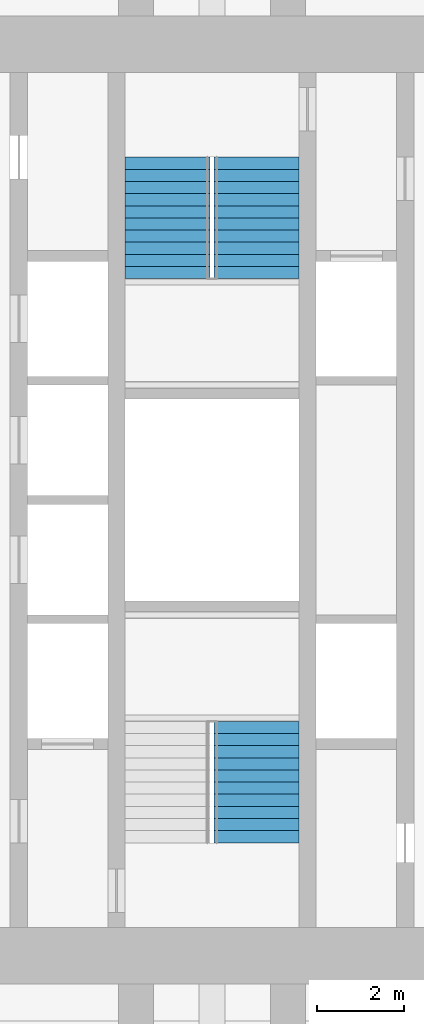
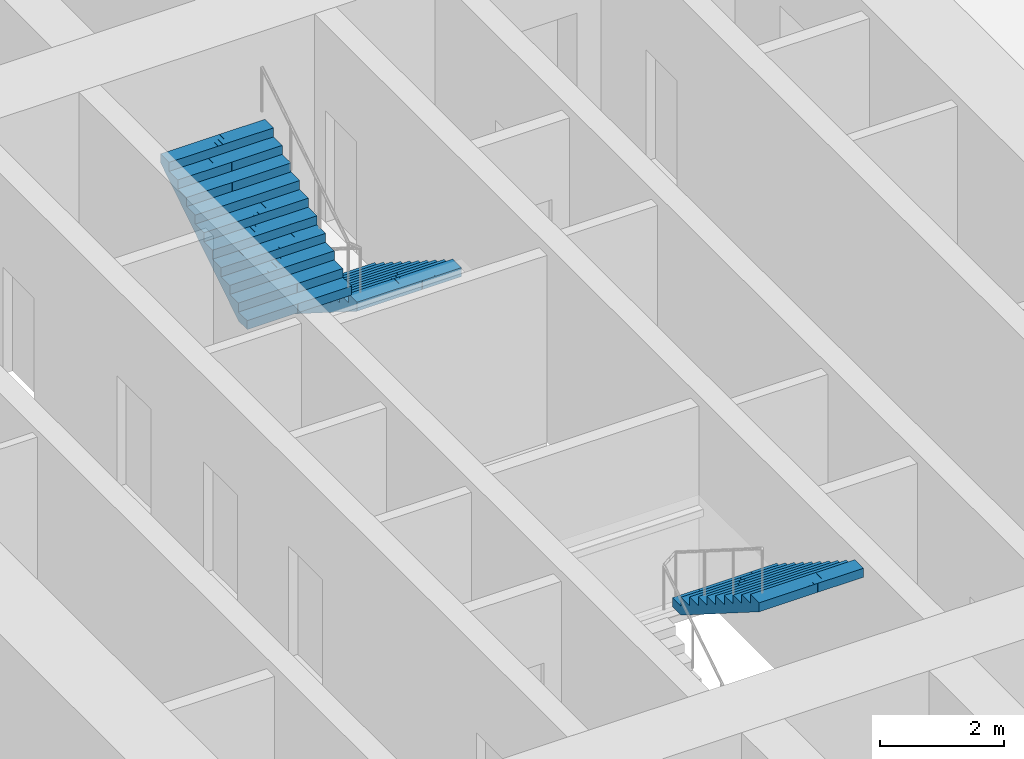
# One storey, part 18 of 19: 3 stair flights, 2 elements without a shape of their own.
"""IFC4 building model written with IfcOpenShell, lengths in metres."""

from ifc_helpers import new_model, si_unit, direction, frame, origin, place, context, subcontext, project, spatial, polyline, outline, extrude, material, type_object, element, aggregate, save


model = new_model("IFC4")

# Units and contexts
model_context = context("Model", 3, precision=1e-05, world=origin(), true_north=direction((0.0, 1.0)))
body_context = subcontext(model_context, "Body", "Model", "MODEL_VIEW")
ifc_project = project(units=[si_unit("LENGTHUNIT", "METRE"), si_unit("AREAUNIT", "SQUARE_METRE"), si_unit("VOLUMEUNIT", "CUBIC_METRE"), si_unit("PLANEANGLEUNIT", "RADIAN"), si_unit("MASSUNIT", "GRAM", prefix="KILO")], contexts=[model_context])

# Site, building, storey
site_placement = place(None, origin())
site = spatial("IfcSite", under=ifc_project, at=site_placement, CompositionType="ELEMENT")
building_placement = place(site_placement, origin())
building = spatial("IfcBuilding", under=site, at=building_placement, Name="Mizan Broadcast Tower", CompositionType="ELEMENT")
storey_placement = place(building_placement, frame((0.0, 0.0, 159.300048828125)))
storey = spatial("IfcBuildingStorey", under=building, at=storey_placement, Name="L36", CompositionType="ELEMENT", Elevation=159.300048828125)

# Stair, stair flight
ifc_material_1 = material(Name="Concrete C40/50", Category="concrete")
stair_type = type_object("IfcStairType", Name="EXIT STAIR", PredefinedType="HALF_TURN_STAIR", material=ifc_material_1)
stair_1_placement = place(storey_placement, origin())
stair_1 = element("IfcStair", 1, at=stair_1_placement, inside=storey, type_object=stair_type, Name="Stair A L36", PredefinedType="HALF_TURN_STAIR")
ifc_material_2 = material(Name="Concrete C40/50", Category="concrete")
stair_flight_type = type_object("IfcStairFlightType", Name="EXIT STAIR FLIGHT", PredefinedType="STRAIGHT", material=ifc_material_2)
stair_flight_1_placement = place(storey_placement, frame((1.02490234375, -5.10009765625, 1.949951171875), z_axis=(0.0, 0.0, 1.0), x_axis=(0.0, -1.0, 0.0)))
stair_flight_1 = element("IfcStairFlight", 2, at=stair_flight_1_placement, type_object=stair_flight_type, Name="A flight 2", NumberOfRisers=11, NumberOfTreads=10, PredefinedType="STRAIGHT", RiserHeight=0.177272727, TreadLength=0.28, context=body_context, shape_type="SweptSolid", body=[
    extrude(outline(polyline([(0.0, 0.0), (0.0, 0.17724609375), (0.280029296875, 0.17724609375), (0.280029296875, 0.3544921875), (0.56005859375, 0.3544921875), (0.56005859375, 0.53173828125), (0.840087890625, 0.53173828125), (0.840087890625, 0.708984375), (1.1201171875, 0.708984375), (1.1201171875, 0.886474609375), (1.39990234375, 0.886474609375), (1.39990234375, 1.063720703125), (1.679931640625, 1.063720703125), (1.679931640625, 1.240966796875), (1.9599609375, 1.240966796875), (1.9599609375, 1.418212890625), (2.239990234375, 1.418212890625), (2.239990234375, 1.595458984375), (2.52001953125, 1.595458984375), (2.52001953125, 1.772705078125), (2.800048828125, 1.772705078125), (2.800048828125, 1.949951171875), (2.800048828125, 1.59521484375), (0.2802734375, 0.0), (0.0, 0.0)])), frame((0.0, 0.97509765625, 0.0), z_axis=(0.0, -1.0, 0.0), x_axis=(1.0, 0.0, 0.0)), (0.0, 0.0, 1.0), 0.4873046875),
    extrude(outline(polyline([(0.0, 0.0), (0.0, 0.17724609375), (0.280029296875, 0.17724609375), (0.280029296875, 0.3544921875), (0.56005859375, 0.3544921875), (0.56005859375, 0.53173828125), (0.840087890625, 0.53173828125), (0.840087890625, 0.708984375), (1.1201171875, 0.708984375), (1.1201171875, 0.886474609375), (1.39990234375, 0.886474609375), (1.39990234375, 1.063720703125), (1.679931640625, 1.063720703125), (1.679931640625, 1.240966796875), (1.9599609375, 1.240966796875), (1.9599609375, 1.418212890625), (2.239990234375, 1.418212890625), (2.239990234375, 1.595458984375), (2.52001953125, 1.595458984375), (2.52001953125, 1.772705078125), (2.800048828125, 1.772705078125), (2.800048828125, 1.949951171875), (2.800048828125, 1.59521484375), (0.2802734375, 0.0), (0.0, 0.0)])), frame((0.0, 0.4873046875, 0.0), z_axis=(0.0, -1.0, 0.0), x_axis=(1.0, 0.0, 0.0)), (0.0, 0.0, 1.0), 0.2431640625),
    extrude(outline(polyline([(0.0, 0.0), (0.0, 0.17724609375), (0.280029296875, 0.17724609375), (0.280029296875, 0.3544921875), (0.56005859375, 0.3544921875), (0.56005859375, 0.53173828125), (0.840087890625, 0.53173828125), (0.840087890625, 0.708984375), (1.1201171875, 0.708984375), (1.1201171875, 0.886474609375), (1.39990234375, 0.886474609375), (1.39990234375, 1.063720703125), (1.679931640625, 1.063720703125), (1.679931640625, 1.240966796875), (1.9599609375, 1.240966796875), (1.9599609375, 1.418212890625), (2.239990234375, 1.418212890625), (2.239990234375, 1.595458984375), (2.52001953125, 1.595458984375), (2.52001953125, 1.772705078125), (2.800048828125, 1.772705078125), (2.800048828125, 1.949951171875), (2.800048828125, 1.59521484375), (0.2802734375, 0.0), (0.0, 0.0)])), frame((0.0, 0.24365234375, 0.0), z_axis=(0.0, -1.0, 0.0), x_axis=(1.0, 0.0, 0.0)), (0.0, 0.0, 1.0), 0.121337890625),
    extrude(outline(polyline([(0.0, 0.0), (0.0, 0.17724609375), (0.280029296875, 0.17724609375), (0.280029296875, 0.3544921875), (0.56005859375, 0.3544921875), (0.56005859375, 0.53173828125), (0.840087890625, 0.53173828125), (0.840087890625, 0.708984375), (1.1201171875, 0.708984375), (1.1201171875, 0.886474609375), (1.39990234375, 0.886474609375), (1.39990234375, 1.063720703125), (1.679931640625, 1.063720703125), (1.679931640625, 1.240966796875), (1.9599609375, 1.240966796875), (1.9599609375, 1.418212890625), (2.239990234375, 1.418212890625), (2.239990234375, 1.595458984375), (2.52001953125, 1.595458984375), (2.52001953125, 1.772705078125), (2.800048828125, 1.772705078125), (2.800048828125, 1.949951171875), (2.800048828125, 1.59521484375), (0.2802734375, 0.0), (0.0, 0.0)])), frame((0.0, 0.121826171875, 0.0), z_axis=(0.0, -1.0, 0.0), x_axis=(1.0, 0.0, 0.0)), (0.0, 0.0, 1.0), 0.060546875),
    extrude(outline(polyline([(0.0, 0.0), (0.0, 0.17724609375), (0.280029296875, 0.17724609375), (0.280029296875, 0.3544921875), (0.56005859375, 0.3544921875), (0.56005859375, 0.53173828125), (0.840087890625, 0.53173828125), (0.840087890625, 0.708984375), (1.1201171875, 0.708984375), (1.1201171875, 0.886474609375), (1.39990234375, 0.886474609375), (1.39990234375, 1.063720703125), (1.679931640625, 1.063720703125), (1.679931640625, 1.240966796875), (1.9599609375, 1.240966796875), (1.9599609375, 1.418212890625), (2.239990234375, 1.418212890625), (2.239990234375, 1.595458984375), (2.52001953125, 1.595458984375), (2.52001953125, 1.772705078125), (2.800048828125, 1.772705078125), (2.800048828125, 1.949951171875), (2.800048828125, 1.59521484375), (0.2802734375, 0.0), (0.0, 0.0)])), frame((0.0, 0.060791015625, 0.0), z_axis=(0.0, -1.0, 0.0), x_axis=(1.0, 0.0, 0.0)), (0.0, 0.0, 1.0), 0.030029296875),
    extrude(outline(polyline([(0.0, 0.0), (0.0, 0.17724609375), (0.280029296875, 0.17724609375), (0.280029296875, 0.3544921875), (0.56005859375, 0.3544921875), (0.56005859375, 0.53173828125), (0.840087890625, 0.53173828125), (0.840087890625, 0.708984375), (1.1201171875, 0.708984375), (1.1201171875, 0.886474609375), (1.39990234375, 0.886474609375), (1.39990234375, 1.063720703125), (1.679931640625, 1.063720703125), (1.679931640625, 1.240966796875), (1.9599609375, 1.240966796875), (1.9599609375, 1.418212890625), (2.239990234375, 1.418212890625), (2.239990234375, 1.595458984375), (2.52001953125, 1.595458984375), (2.52001953125, 1.772705078125), (2.800048828125, 1.772705078125), (2.800048828125, 1.949951171875), (2.800048828125, 1.59521484375), (0.2802734375, 0.0), (0.0, 0.0)])), frame((0.0, 0.0302734375, 0.0), z_axis=(0.0, -1.0, 0.0), x_axis=(1.0, 0.0, 0.0)), (0.0, 0.0, 1.0), 0.060302734375),
    extrude(outline(polyline([(0.0, 0.0), (0.0, 0.17724609375), (0.280029296875, 0.17724609375), (0.280029296875, 0.3544921875), (0.56005859375, 0.3544921875), (0.56005859375, 0.53173828125), (0.840087890625, 0.53173828125), (0.840087890625, 0.708984375), (1.1201171875, 0.708984375), (1.1201171875, 0.886474609375), (1.39990234375, 0.886474609375), (1.39990234375, 1.063720703125), (1.679931640625, 1.063720703125), (1.679931640625, 1.240966796875), (1.9599609375, 1.240966796875), (1.9599609375, 1.418212890625), (2.239990234375, 1.418212890625), (2.239990234375, 1.595458984375), (2.52001953125, 1.595458984375), (2.52001953125, 1.772705078125), (2.800048828125, 1.772705078125), (2.800048828125, 1.949951171875), (2.800048828125, 1.59521484375), (0.2802734375, 0.0), (0.0, 0.0)])), frame((0.0, -0.030517578125, 0.0), z_axis=(0.0, -1.0, 0.0), x_axis=(1.0, 0.0, 0.0)), (0.0, 0.0, 1.0), 0.030029296875),
    extrude(outline(polyline([(0.0, 0.0), (0.0, 0.17724609375), (0.280029296875, 0.17724609375), (0.280029296875, 0.3544921875), (0.56005859375, 0.3544921875), (0.56005859375, 0.53173828125), (0.840087890625, 0.53173828125), (0.840087890625, 0.708984375), (1.1201171875, 0.708984375), (1.1201171875, 0.886474609375), (1.39990234375, 0.886474609375), (1.39990234375, 1.063720703125), (1.679931640625, 1.063720703125), (1.679931640625, 1.240966796875), (1.9599609375, 1.240966796875), (1.9599609375, 1.418212890625), (2.239990234375, 1.418212890625), (2.239990234375, 1.595458984375), (2.52001953125, 1.595458984375), (2.52001953125, 1.772705078125), (2.800048828125, 1.772705078125), (2.800048828125, 1.949951171875), (2.800048828125, 1.59521484375), (0.2802734375, 0.0), (0.0, 0.0)])), frame((0.0, -0.06103515625, 0.0), z_axis=(0.0, -1.0, 0.0), x_axis=(1.0, 0.0, 0.0)), (0.0, 0.0, 1.0), 0.060546875),
    extrude(outline(polyline([(0.0, 0.0), (0.0, 0.17724609375), (0.280029296875, 0.17724609375), (0.280029296875, 0.3544921875), (0.56005859375, 0.3544921875), (0.56005859375, 0.53173828125), (0.840087890625, 0.53173828125), (0.840087890625, 0.708984375), (1.1201171875, 0.708984375), (1.1201171875, 0.886474609375), (1.39990234375, 0.886474609375), (1.39990234375, 1.063720703125), (1.679931640625, 1.063720703125), (1.679931640625, 1.240966796875), (1.9599609375, 1.240966796875), (1.9599609375, 1.418212890625), (2.239990234375, 1.418212890625), (2.239990234375, 1.595458984375), (2.52001953125, 1.595458984375), (2.52001953125, 1.772705078125), (2.800048828125, 1.772705078125), (2.800048828125, 1.949951171875), (2.800048828125, 1.59521484375), (0.2802734375, 0.0), (0.0, 0.0)])), frame((0.0, -0.1220703125, 0.0), z_axis=(0.0, -1.0, 0.0), x_axis=(1.0, 0.0, 0.0)), (0.0, 0.0, 1.0), 0.121337890625),
    extrude(outline(polyline([(0.0, 0.0), (0.0, 0.17724609375), (0.280029296875, 0.17724609375), (0.280029296875, 0.3544921875), (0.56005859375, 0.3544921875), (0.56005859375, 0.53173828125), (0.840087890625, 0.53173828125), (0.840087890625, 0.708984375), (1.1201171875, 0.708984375), (1.1201171875, 0.886474609375), (1.39990234375, 0.886474609375), (1.39990234375, 1.063720703125), (1.679931640625, 1.063720703125), (1.679931640625, 1.240966796875), (1.9599609375, 1.240966796875), (1.9599609375, 1.418212890625), (2.239990234375, 1.418212890625), (2.239990234375, 1.595458984375), (2.52001953125, 1.595458984375), (2.52001953125, 1.772705078125), (2.800048828125, 1.772705078125), (2.800048828125, 1.949951171875), (2.800048828125, 1.59521484375), (0.2802734375, 0.0), (0.0, 0.0)])), frame((0.0, -0.243896484375, 0.0), z_axis=(0.0, -1.0, 0.0), x_axis=(1.0, 0.0, 0.0)), (0.0, 0.0, 1.0), 0.2431640625),
    extrude(outline(polyline([(0.0, 0.0), (0.0, 0.17724609375), (0.280029296875, 0.17724609375), (0.280029296875, 0.3544921875), (0.56005859375, 0.3544921875), (0.56005859375, 0.53173828125), (0.840087890625, 0.53173828125), (0.840087890625, 0.708984375), (1.1201171875, 0.708984375), (1.1201171875, 0.886474609375), (1.39990234375, 0.886474609375), (1.39990234375, 1.063720703125), (1.679931640625, 1.063720703125), (1.679931640625, 1.240966796875), (1.9599609375, 1.240966796875), (1.9599609375, 1.418212890625), (2.239990234375, 1.418212890625), (2.239990234375, 1.595458984375), (2.52001953125, 1.595458984375), (2.52001953125, 1.772705078125), (2.800048828125, 1.772705078125), (2.800048828125, 1.949951171875), (2.800048828125, 1.59521484375), (0.2802734375, 0.0), (0.0, 0.0)])), frame((0.0, -0.487548828125, 0.0), z_axis=(0.0, -1.0, 0.0), x_axis=(1.0, 0.0, 0.0)), (0.0, 0.0, 1.0), 0.4873046875),
])
aggregate(stair_1, [stair_flight_1])

# Stair, stair flights
stair_2_placement = place(storey_placement, origin())
stair_2 = element("IfcStair", 3, at=stair_2_placement, inside=storey, type_object=stair_type, Name="Stair B L36", PredefinedType="HALF_TURN_STAIR")
stair_flight_2_placement = place(storey_placement, frame((1.02490234375, 7.89990234375, 0.0), z_axis=(0.0, 0.0, 1.0), x_axis=(0.0, -1.0, 0.0)))
stair_flight_2 = element("IfcStairFlight", 4, at=stair_flight_2_placement, type_object=stair_flight_type, Name="B flight 1", NumberOfRisers=11, NumberOfTreads=10, PredefinedType="STRAIGHT", RiserHeight=0.177272727, TreadLength=0.28, context=body_context, shape_type="SweptSolid", body=[
    extrude(outline(polyline([(0.0, 0.0), (0.0, 0.17724609375), (0.280029296875, 0.17724609375), (0.280029296875, 0.3544921875), (0.56005859375, 0.3544921875), (0.56005859375, 0.53173828125), (0.840087890625, 0.53173828125), (0.840087890625, 0.708984375), (1.1201171875, 0.708984375), (1.1201171875, 0.886474609375), (1.39990234375, 0.886474609375), (1.39990234375, 1.063720703125), (1.679931640625, 1.063720703125), (1.679931640625, 1.240966796875), (1.9599609375, 1.240966796875), (1.9599609375, 1.418212890625), (2.239990234375, 1.418212890625), (2.239990234375, 1.595458984375), (2.52001953125, 1.595458984375), (2.52001953125, 1.772705078125), (2.800048828125, 1.772705078125), (2.800048828125, 1.949951171875), (2.800048828125, 1.59521484375), (0.2802734375, 0.0), (0.0, 0.0)])), frame((0.0, 0.97509765625, 0.0), z_axis=(0.0, -1.0, 0.0), x_axis=(1.0, 0.0, 0.0)), (0.0, 0.0, 1.0), 0.4873046875),
    extrude(outline(polyline([(0.0, 0.0), (0.0, 0.17724609375), (0.280029296875, 0.17724609375), (0.280029296875, 0.3544921875), (0.56005859375, 0.3544921875), (0.56005859375, 0.53173828125), (0.840087890625, 0.53173828125), (0.840087890625, 0.708984375), (1.1201171875, 0.708984375), (1.1201171875, 0.886474609375), (1.39990234375, 0.886474609375), (1.39990234375, 1.063720703125), (1.679931640625, 1.063720703125), (1.679931640625, 1.240966796875), (1.9599609375, 1.240966796875), (1.9599609375, 1.418212890625), (2.239990234375, 1.418212890625), (2.239990234375, 1.595458984375), (2.52001953125, 1.595458984375), (2.52001953125, 1.772705078125), (2.800048828125, 1.772705078125), (2.800048828125, 1.949951171875), (2.800048828125, 1.59521484375), (0.2802734375, 0.0), (0.0, 0.0)])), frame((0.0, 0.4873046875, 0.0), z_axis=(0.0, -1.0, 0.0), x_axis=(1.0, 0.0, 0.0)), (0.0, 0.0, 1.0), 0.2431640625),
    extrude(outline(polyline([(0.0, 0.0), (0.0, 0.17724609375), (0.280029296875, 0.17724609375), (0.280029296875, 0.3544921875), (0.56005859375, 0.3544921875), (0.56005859375, 0.53173828125), (0.840087890625, 0.53173828125), (0.840087890625, 0.708984375), (1.1201171875, 0.708984375), (1.1201171875, 0.886474609375), (1.39990234375, 0.886474609375), (1.39990234375, 1.063720703125), (1.679931640625, 1.063720703125), (1.679931640625, 1.240966796875), (1.9599609375, 1.240966796875), (1.9599609375, 1.418212890625), (2.239990234375, 1.418212890625), (2.239990234375, 1.595458984375), (2.52001953125, 1.595458984375), (2.52001953125, 1.772705078125), (2.800048828125, 1.772705078125), (2.800048828125, 1.949951171875), (2.800048828125, 1.59521484375), (0.2802734375, 0.0), (0.0, 0.0)])), frame((0.0, 0.24365234375, 0.0), z_axis=(0.0, -1.0, 0.0), x_axis=(1.0, 0.0, 0.0)), (0.0, 0.0, 1.0), 0.121337890625),
    extrude(outline(polyline([(0.0, 0.0), (0.0, 0.17724609375), (0.280029296875, 0.17724609375), (0.280029296875, 0.3544921875), (0.56005859375, 0.3544921875), (0.56005859375, 0.53173828125), (0.840087890625, 0.53173828125), (0.840087890625, 0.708984375), (1.1201171875, 0.708984375), (1.1201171875, 0.886474609375), (1.39990234375, 0.886474609375), (1.39990234375, 1.063720703125), (1.679931640625, 1.063720703125), (1.679931640625, 1.240966796875), (1.9599609375, 1.240966796875), (1.9599609375, 1.418212890625), (2.239990234375, 1.418212890625), (2.239990234375, 1.595458984375), (2.52001953125, 1.595458984375), (2.52001953125, 1.772705078125), (2.800048828125, 1.772705078125), (2.800048828125, 1.949951171875), (2.800048828125, 1.59521484375), (0.2802734375, 0.0), (0.0, 0.0)])), frame((0.0, 0.121826171875, 0.0), z_axis=(0.0, -1.0, 0.0), x_axis=(1.0, 0.0, 0.0)), (0.0, 0.0, 1.0), 0.060546875),
    extrude(outline(polyline([(0.0, 0.0), (0.0, 0.17724609375), (0.280029296875, 0.17724609375), (0.280029296875, 0.3544921875), (0.56005859375, 0.3544921875), (0.56005859375, 0.53173828125), (0.840087890625, 0.53173828125), (0.840087890625, 0.708984375), (1.1201171875, 0.708984375), (1.1201171875, 0.886474609375), (1.39990234375, 0.886474609375), (1.39990234375, 1.063720703125), (1.679931640625, 1.063720703125), (1.679931640625, 1.240966796875), (1.9599609375, 1.240966796875), (1.9599609375, 1.418212890625), (2.239990234375, 1.418212890625), (2.239990234375, 1.595458984375), (2.52001953125, 1.595458984375), (2.52001953125, 1.772705078125), (2.800048828125, 1.772705078125), (2.800048828125, 1.949951171875), (2.800048828125, 1.59521484375), (0.2802734375, 0.0), (0.0, 0.0)])), frame((0.0, 0.060791015625, 0.0), z_axis=(0.0, -1.0, 0.0), x_axis=(1.0, 0.0, 0.0)), (0.0, 0.0, 1.0), 0.030029296875),
    extrude(outline(polyline([(0.0, 0.0), (0.0, 0.17724609375), (0.280029296875, 0.17724609375), (0.280029296875, 0.3544921875), (0.56005859375, 0.3544921875), (0.56005859375, 0.53173828125), (0.840087890625, 0.53173828125), (0.840087890625, 0.708984375), (1.1201171875, 0.708984375), (1.1201171875, 0.886474609375), (1.39990234375, 0.886474609375), (1.39990234375, 1.063720703125), (1.679931640625, 1.063720703125), (1.679931640625, 1.240966796875), (1.9599609375, 1.240966796875), (1.9599609375, 1.418212890625), (2.239990234375, 1.418212890625), (2.239990234375, 1.595458984375), (2.52001953125, 1.595458984375), (2.52001953125, 1.772705078125), (2.800048828125, 1.772705078125), (2.800048828125, 1.949951171875), (2.800048828125, 1.59521484375), (0.2802734375, 0.0), (0.0, 0.0)])), frame((0.0, 0.0302734375, 0.0), z_axis=(0.0, -1.0, 0.0), x_axis=(1.0, 0.0, 0.0)), (0.0, 0.0, 1.0), 0.060302734375),
    extrude(outline(polyline([(0.0, 0.0), (0.0, 0.17724609375), (0.280029296875, 0.17724609375), (0.280029296875, 0.3544921875), (0.56005859375, 0.3544921875), (0.56005859375, 0.53173828125), (0.840087890625, 0.53173828125), (0.840087890625, 0.708984375), (1.1201171875, 0.708984375), (1.1201171875, 0.886474609375), (1.39990234375, 0.886474609375), (1.39990234375, 1.063720703125), (1.679931640625, 1.063720703125), (1.679931640625, 1.240966796875), (1.9599609375, 1.240966796875), (1.9599609375, 1.418212890625), (2.239990234375, 1.418212890625), (2.239990234375, 1.595458984375), (2.52001953125, 1.595458984375), (2.52001953125, 1.772705078125), (2.800048828125, 1.772705078125), (2.800048828125, 1.949951171875), (2.800048828125, 1.59521484375), (0.2802734375, 0.0), (0.0, 0.0)])), frame((0.0, -0.030517578125, 0.0), z_axis=(0.0, -1.0, 0.0), x_axis=(1.0, 0.0, 0.0)), (0.0, 0.0, 1.0), 0.030029296875),
    extrude(outline(polyline([(0.0, 0.0), (0.0, 0.17724609375), (0.280029296875, 0.17724609375), (0.280029296875, 0.3544921875), (0.56005859375, 0.3544921875), (0.56005859375, 0.53173828125), (0.840087890625, 0.53173828125), (0.840087890625, 0.708984375), (1.1201171875, 0.708984375), (1.1201171875, 0.886474609375), (1.39990234375, 0.886474609375), (1.39990234375, 1.063720703125), (1.679931640625, 1.063720703125), (1.679931640625, 1.240966796875), (1.9599609375, 1.240966796875), (1.9599609375, 1.418212890625), (2.239990234375, 1.418212890625), (2.239990234375, 1.595458984375), (2.52001953125, 1.595458984375), (2.52001953125, 1.772705078125), (2.800048828125, 1.772705078125), (2.800048828125, 1.949951171875), (2.800048828125, 1.59521484375), (0.2802734375, 0.0), (0.0, 0.0)])), frame((0.0, -0.06103515625, 0.0), z_axis=(0.0, -1.0, 0.0), x_axis=(1.0, 0.0, 0.0)), (0.0, 0.0, 1.0), 0.060546875),
    extrude(outline(polyline([(0.0, 0.0), (0.0, 0.17724609375), (0.280029296875, 0.17724609375), (0.280029296875, 0.3544921875), (0.56005859375, 0.3544921875), (0.56005859375, 0.53173828125), (0.840087890625, 0.53173828125), (0.840087890625, 0.708984375), (1.1201171875, 0.708984375), (1.1201171875, 0.886474609375), (1.39990234375, 0.886474609375), (1.39990234375, 1.063720703125), (1.679931640625, 1.063720703125), (1.679931640625, 1.240966796875), (1.9599609375, 1.240966796875), (1.9599609375, 1.418212890625), (2.239990234375, 1.418212890625), (2.239990234375, 1.595458984375), (2.52001953125, 1.595458984375), (2.52001953125, 1.772705078125), (2.800048828125, 1.772705078125), (2.800048828125, 1.949951171875), (2.800048828125, 1.59521484375), (0.2802734375, 0.0), (0.0, 0.0)])), frame((0.0, -0.1220703125, 0.0), z_axis=(0.0, -1.0, 0.0), x_axis=(1.0, 0.0, 0.0)), (0.0, 0.0, 1.0), 0.121337890625),
    extrude(outline(polyline([(0.0, 0.0), (0.0, 0.17724609375), (0.280029296875, 0.17724609375), (0.280029296875, 0.3544921875), (0.56005859375, 0.3544921875), (0.56005859375, 0.53173828125), (0.840087890625, 0.53173828125), (0.840087890625, 0.708984375), (1.1201171875, 0.708984375), (1.1201171875, 0.886474609375), (1.39990234375, 0.886474609375), (1.39990234375, 1.063720703125), (1.679931640625, 1.063720703125), (1.679931640625, 1.240966796875), (1.9599609375, 1.240966796875), (1.9599609375, 1.418212890625), (2.239990234375, 1.418212890625), (2.239990234375, 1.595458984375), (2.52001953125, 1.595458984375), (2.52001953125, 1.772705078125), (2.800048828125, 1.772705078125), (2.800048828125, 1.949951171875), (2.800048828125, 1.59521484375), (0.2802734375, 0.0), (0.0, 0.0)])), frame((0.0, -0.243896484375, 0.0), z_axis=(0.0, -1.0, 0.0), x_axis=(1.0, 0.0, 0.0)), (0.0, 0.0, 1.0), 0.2431640625),
    extrude(outline(polyline([(0.0, 0.0), (0.0, 0.17724609375), (0.280029296875, 0.17724609375), (0.280029296875, 0.3544921875), (0.56005859375, 0.3544921875), (0.56005859375, 0.53173828125), (0.840087890625, 0.53173828125), (0.840087890625, 0.708984375), (1.1201171875, 0.708984375), (1.1201171875, 0.886474609375), (1.39990234375, 0.886474609375), (1.39990234375, 1.063720703125), (1.679931640625, 1.063720703125), (1.679931640625, 1.240966796875), (1.9599609375, 1.240966796875), (1.9599609375, 1.418212890625), (2.239990234375, 1.418212890625), (2.239990234375, 1.595458984375), (2.52001953125, 1.595458984375), (2.52001953125, 1.772705078125), (2.800048828125, 1.772705078125), (2.800048828125, 1.949951171875), (2.800048828125, 1.59521484375), (0.2802734375, 0.0), (0.0, 0.0)])), frame((0.0, -0.487548828125, 0.0), z_axis=(0.0, -1.0, 0.0), x_axis=(1.0, 0.0, 0.0)), (0.0, 0.0, 1.0), 0.4873046875),
])
stair_flight_3_placement = place(storey_placement, frame((-1.02490234375, 5.10009765625, 1.949951171875), z_axis=(0.0, 0.0, 1.0), x_axis=(0.0, 1.0, 0.0)))
stair_flight_3 = element("IfcStairFlight", 5, at=stair_flight_3_placement, type_object=stair_flight_type, Name="B flight 2", NumberOfRisers=11, NumberOfTreads=10, PredefinedType="STRAIGHT", RiserHeight=0.177272727, TreadLength=0.28, context=body_context, shape_type="SweptSolid", body=[
    extrude(outline(polyline([(0.0, 0.0), (0.0, 0.17724609375), (0.280029296875, 0.17724609375), (0.280029296875, 0.3544921875), (0.56005859375, 0.3544921875), (0.56005859375, 0.53173828125), (0.840087890625, 0.53173828125), (0.840087890625, 0.708984375), (1.1201171875, 0.708984375), (1.1201171875, 0.886474609375), (1.39990234375, 0.886474609375), (1.39990234375, 1.063720703125), (1.679931640625, 1.063720703125), (1.679931640625, 1.240966796875), (1.9599609375, 1.240966796875), (1.9599609375, 1.418212890625), (2.239990234375, 1.418212890625), (2.239990234375, 1.595458984375), (2.52001953125, 1.595458984375), (2.52001953125, 1.772705078125), (2.800048828125, 1.772705078125), (2.800048828125, 1.949951171875), (2.800048828125, 1.59521484375), (0.2802734375, 0.0), (0.0, 0.0)])), frame((0.0, 0.97509765625, 0.0), z_axis=(0.0, -1.0, 0.0), x_axis=(1.0, 0.0, 0.0)), (0.0, 0.0, 1.0), 0.4873046875),
    extrude(outline(polyline([(0.0, 0.0), (0.0, 0.17724609375), (0.280029296875, 0.17724609375), (0.280029296875, 0.3544921875), (0.56005859375, 0.3544921875), (0.56005859375, 0.53173828125), (0.840087890625, 0.53173828125), (0.840087890625, 0.708984375), (1.1201171875, 0.708984375), (1.1201171875, 0.886474609375), (1.39990234375, 0.886474609375), (1.39990234375, 1.063720703125), (1.679931640625, 1.063720703125), (1.679931640625, 1.240966796875), (1.9599609375, 1.240966796875), (1.9599609375, 1.418212890625), (2.239990234375, 1.418212890625), (2.239990234375, 1.595458984375), (2.52001953125, 1.595458984375), (2.52001953125, 1.772705078125), (2.800048828125, 1.772705078125), (2.800048828125, 1.949951171875), (2.800048828125, 1.59521484375), (0.2802734375, 0.0), (0.0, 0.0)])), frame((0.0, 0.4873046875, 0.0), z_axis=(0.0, -1.0, 0.0), x_axis=(1.0, 0.0, 0.0)), (0.0, 0.0, 1.0), 0.2431640625),
    extrude(outline(polyline([(0.0, 0.0), (0.0, 0.17724609375), (0.280029296875, 0.17724609375), (0.280029296875, 0.3544921875), (0.56005859375, 0.3544921875), (0.56005859375, 0.53173828125), (0.840087890625, 0.53173828125), (0.840087890625, 0.708984375), (1.1201171875, 0.708984375), (1.1201171875, 0.886474609375), (1.39990234375, 0.886474609375), (1.39990234375, 1.063720703125), (1.679931640625, 1.063720703125), (1.679931640625, 1.240966796875), (1.9599609375, 1.240966796875), (1.9599609375, 1.418212890625), (2.239990234375, 1.418212890625), (2.239990234375, 1.595458984375), (2.52001953125, 1.595458984375), (2.52001953125, 1.772705078125), (2.800048828125, 1.772705078125), (2.800048828125, 1.949951171875), (2.800048828125, 1.59521484375), (0.2802734375, 0.0), (0.0, 0.0)])), frame((0.0, 0.24365234375, 0.0), z_axis=(0.0, -1.0, 0.0), x_axis=(1.0, 0.0, 0.0)), (0.0, 0.0, 1.0), 0.121337890625),
    extrude(outline(polyline([(0.0, 0.0), (0.0, 0.17724609375), (0.280029296875, 0.17724609375), (0.280029296875, 0.3544921875), (0.56005859375, 0.3544921875), (0.56005859375, 0.53173828125), (0.840087890625, 0.53173828125), (0.840087890625, 0.708984375), (1.1201171875, 0.708984375), (1.1201171875, 0.886474609375), (1.39990234375, 0.886474609375), (1.39990234375, 1.063720703125), (1.679931640625, 1.063720703125), (1.679931640625, 1.240966796875), (1.9599609375, 1.240966796875), (1.9599609375, 1.418212890625), (2.239990234375, 1.418212890625), (2.239990234375, 1.595458984375), (2.52001953125, 1.595458984375), (2.52001953125, 1.772705078125), (2.800048828125, 1.772705078125), (2.800048828125, 1.949951171875), (2.800048828125, 1.59521484375), (0.2802734375, 0.0), (0.0, 0.0)])), frame((0.0, 0.121826171875, 0.0), z_axis=(0.0, -1.0, 0.0), x_axis=(1.0, 0.0, 0.0)), (0.0, 0.0, 1.0), 0.060546875),
    extrude(outline(polyline([(0.0, 0.0), (0.0, 0.17724609375), (0.280029296875, 0.17724609375), (0.280029296875, 0.3544921875), (0.56005859375, 0.3544921875), (0.56005859375, 0.53173828125), (0.840087890625, 0.53173828125), (0.840087890625, 0.708984375), (1.1201171875, 0.708984375), (1.1201171875, 0.886474609375), (1.39990234375, 0.886474609375), (1.39990234375, 1.063720703125), (1.679931640625, 1.063720703125), (1.679931640625, 1.240966796875), (1.9599609375, 1.240966796875), (1.9599609375, 1.418212890625), (2.239990234375, 1.418212890625), (2.239990234375, 1.595458984375), (2.52001953125, 1.595458984375), (2.52001953125, 1.772705078125), (2.800048828125, 1.772705078125), (2.800048828125, 1.949951171875), (2.800048828125, 1.59521484375), (0.2802734375, 0.0), (0.0, 0.0)])), frame((0.0, 0.060791015625, 0.0), z_axis=(0.0, -1.0, 0.0), x_axis=(1.0, 0.0, 0.0)), (0.0, 0.0, 1.0), 0.030029296875),
    extrude(outline(polyline([(0.0, 0.0), (0.0, 0.17724609375), (0.280029296875, 0.17724609375), (0.280029296875, 0.3544921875), (0.56005859375, 0.3544921875), (0.56005859375, 0.53173828125), (0.840087890625, 0.53173828125), (0.840087890625, 0.708984375), (1.1201171875, 0.708984375), (1.1201171875, 0.886474609375), (1.39990234375, 0.886474609375), (1.39990234375, 1.063720703125), (1.679931640625, 1.063720703125), (1.679931640625, 1.240966796875), (1.9599609375, 1.240966796875), (1.9599609375, 1.418212890625), (2.239990234375, 1.418212890625), (2.239990234375, 1.595458984375), (2.52001953125, 1.595458984375), (2.52001953125, 1.772705078125), (2.800048828125, 1.772705078125), (2.800048828125, 1.949951171875), (2.800048828125, 1.59521484375), (0.2802734375, 0.0), (0.0, 0.0)])), frame((0.0, 0.0302734375, 0.0), z_axis=(0.0, -1.0, 0.0), x_axis=(1.0, 0.0, 0.0)), (0.0, 0.0, 1.0), 0.060302734375),
    extrude(outline(polyline([(0.0, 0.0), (0.0, 0.17724609375), (0.280029296875, 0.17724609375), (0.280029296875, 0.3544921875), (0.56005859375, 0.3544921875), (0.56005859375, 0.53173828125), (0.840087890625, 0.53173828125), (0.840087890625, 0.708984375), (1.1201171875, 0.708984375), (1.1201171875, 0.886474609375), (1.39990234375, 0.886474609375), (1.39990234375, 1.063720703125), (1.679931640625, 1.063720703125), (1.679931640625, 1.240966796875), (1.9599609375, 1.240966796875), (1.9599609375, 1.418212890625), (2.239990234375, 1.418212890625), (2.239990234375, 1.595458984375), (2.52001953125, 1.595458984375), (2.52001953125, 1.772705078125), (2.800048828125, 1.772705078125), (2.800048828125, 1.949951171875), (2.800048828125, 1.59521484375), (0.2802734375, 0.0), (0.0, 0.0)])), frame((0.0, -0.030517578125, 0.0), z_axis=(0.0, -1.0, 0.0), x_axis=(1.0, 0.0, 0.0)), (0.0, 0.0, 1.0), 0.030029296875),
    extrude(outline(polyline([(0.0, 0.0), (0.0, 0.17724609375), (0.280029296875, 0.17724609375), (0.280029296875, 0.3544921875), (0.56005859375, 0.3544921875), (0.56005859375, 0.53173828125), (0.840087890625, 0.53173828125), (0.840087890625, 0.708984375), (1.1201171875, 0.708984375), (1.1201171875, 0.886474609375), (1.39990234375, 0.886474609375), (1.39990234375, 1.063720703125), (1.679931640625, 1.063720703125), (1.679931640625, 1.240966796875), (1.9599609375, 1.240966796875), (1.9599609375, 1.418212890625), (2.239990234375, 1.418212890625), (2.239990234375, 1.595458984375), (2.52001953125, 1.595458984375), (2.52001953125, 1.772705078125), (2.800048828125, 1.772705078125), (2.800048828125, 1.949951171875), (2.800048828125, 1.59521484375), (0.2802734375, 0.0), (0.0, 0.0)])), frame((0.0, -0.06103515625, 0.0), z_axis=(0.0, -1.0, 0.0), x_axis=(1.0, 0.0, 0.0)), (0.0, 0.0, 1.0), 0.060546875),
    extrude(outline(polyline([(0.0, 0.0), (0.0, 0.17724609375), (0.280029296875, 0.17724609375), (0.280029296875, 0.3544921875), (0.56005859375, 0.3544921875), (0.56005859375, 0.53173828125), (0.840087890625, 0.53173828125), (0.840087890625, 0.708984375), (1.1201171875, 0.708984375), (1.1201171875, 0.886474609375), (1.39990234375, 0.886474609375), (1.39990234375, 1.063720703125), (1.679931640625, 1.063720703125), (1.679931640625, 1.240966796875), (1.9599609375, 1.240966796875), (1.9599609375, 1.418212890625), (2.239990234375, 1.418212890625), (2.239990234375, 1.595458984375), (2.52001953125, 1.595458984375), (2.52001953125, 1.772705078125), (2.800048828125, 1.772705078125), (2.800048828125, 1.949951171875), (2.800048828125, 1.59521484375), (0.2802734375, 0.0), (0.0, 0.0)])), frame((0.0, -0.1220703125, 0.0), z_axis=(0.0, -1.0, 0.0), x_axis=(1.0, 0.0, 0.0)), (0.0, 0.0, 1.0), 0.121337890625),
    extrude(outline(polyline([(0.0, 0.0), (0.0, 0.17724609375), (0.280029296875, 0.17724609375), (0.280029296875, 0.3544921875), (0.56005859375, 0.3544921875), (0.56005859375, 0.53173828125), (0.840087890625, 0.53173828125), (0.840087890625, 0.708984375), (1.1201171875, 0.708984375), (1.1201171875, 0.886474609375), (1.39990234375, 0.886474609375), (1.39990234375, 1.063720703125), (1.679931640625, 1.063720703125), (1.679931640625, 1.240966796875), (1.9599609375, 1.240966796875), (1.9599609375, 1.418212890625), (2.239990234375, 1.418212890625), (2.239990234375, 1.595458984375), (2.52001953125, 1.595458984375), (2.52001953125, 1.772705078125), (2.800048828125, 1.772705078125), (2.800048828125, 1.949951171875), (2.800048828125, 1.59521484375), (0.2802734375, 0.0), (0.0, 0.0)])), frame((0.0, -0.243896484375, 0.0), z_axis=(0.0, -1.0, 0.0), x_axis=(1.0, 0.0, 0.0)), (0.0, 0.0, 1.0), 0.2431640625),
    extrude(outline(polyline([(0.0, 0.0), (0.0, 0.17724609375), (0.280029296875, 0.17724609375), (0.280029296875, 0.3544921875), (0.56005859375, 0.3544921875), (0.56005859375, 0.53173828125), (0.840087890625, 0.53173828125), (0.840087890625, 0.708984375), (1.1201171875, 0.708984375), (1.1201171875, 0.886474609375), (1.39990234375, 0.886474609375), (1.39990234375, 1.063720703125), (1.679931640625, 1.063720703125), (1.679931640625, 1.240966796875), (1.9599609375, 1.240966796875), (1.9599609375, 1.418212890625), (2.239990234375, 1.418212890625), (2.239990234375, 1.595458984375), (2.52001953125, 1.595458984375), (2.52001953125, 1.772705078125), (2.800048828125, 1.772705078125), (2.800048828125, 1.949951171875), (2.800048828125, 1.59521484375), (0.2802734375, 0.0), (0.0, 0.0)])), frame((0.0, -0.487548828125, 0.0), z_axis=(0.0, -1.0, 0.0), x_axis=(1.0, 0.0, 0.0)), (0.0, 0.0, 1.0), 0.4873046875),
])
aggregate(stair_2, [stair_flight_2, stair_flight_3])

save(model, "model.ifc")
